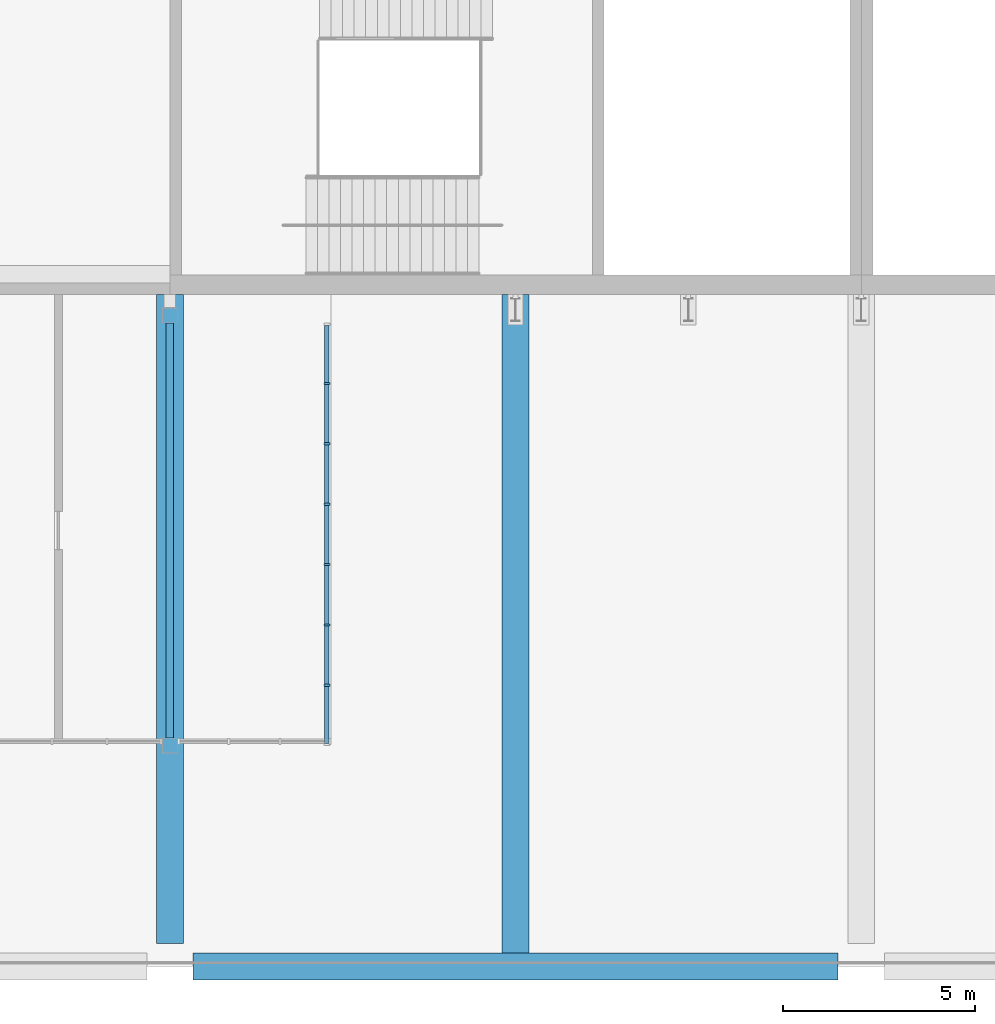
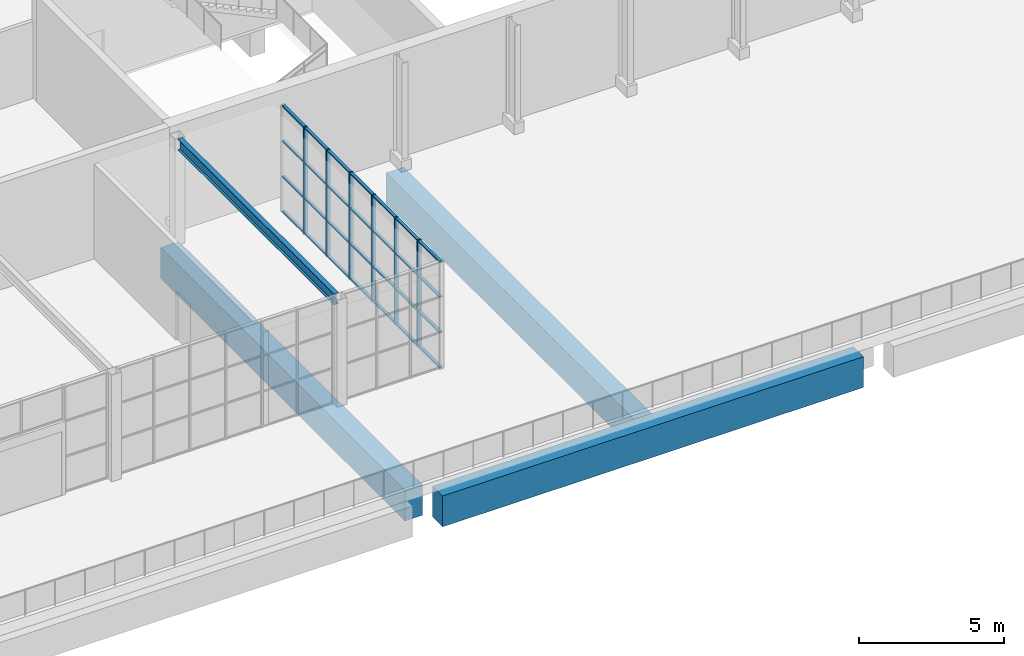
# One storey, part 44 of 168: 34 members, 4 beams, 1 element without a shape of its own.
"""IFC4 building model written with IfcOpenShell, lengths in metres."""

from ifc_helpers import new_model, si_unit, direction, frame, origin, origin_2d, place, context, subcontext, project, spatial, rectangle, i_section, extrude, material, material_profile, profile_set, type_object, element, aggregate, save


model = new_model("IFC4")

# Units and contexts
model_context = context("Model", 3, precision=1e-05, world=origin(), true_north=direction((0.0, 1.0)))
body_context = subcontext(model_context, "Body", "Model", "MODEL_VIEW")
ifc_project = project(units=[si_unit("LENGTHUNIT", "METRE"), si_unit("AREAUNIT", "SQUARE_METRE"), si_unit("VOLUMEUNIT", "CUBIC_METRE"), si_unit("PLANEANGLEUNIT", "RADIAN"), si_unit("MASSUNIT", "GRAM", prefix="KILO")], contexts=[model_context])

# Site, building, storey
site_placement = place(None, origin())
site = spatial("IfcSite", under=ifc_project, at=site_placement, CompositionType="ELEMENT")
building_placement = place(site_placement, origin())
building = spatial("IfcBuilding", under=site, at=building_placement, Name="Silverbay Arena", CompositionType="ELEMENT")
storey_placement = place(building_placement, frame((0.0, 0.0, 7.0)))
storey = spatial("IfcBuildingStorey", under=building, at=storey_placement, Name="L01", CompositionType="ELEMENT", Elevation=7.0)

# Beam
ifc_material_1 = material(Name="Steel S355", Category="steel")
ifc_material_profile_1 = material_profile(ifc_material_1, i_section(OverallWidth=0.19287109375, OverallDepth=0.46728515625, WebThickness=0.011474609375, FlangeThickness=0.01953125, at=origin_2d()), Name="UB 457x191x98")
ifc_profile_set_1 = profile_set([ifc_material_profile_1], Name="Steel S355")
beam_type_1 = type_object("IfcBeamType", Name="Hall beam UB 457x191x98", PredefinedType="BEAM", material=ifc_profile_set_1)
beam_1_placement = place(storey_placement, frame((144.0, 16.75, 4.266357421875), z_axis=(0.0, -1.0, 0.0), x_axis=(1.0, 0.0, 0.0)))
element("IfcBeam", 1, at=beam_1_placement, inside=storey, type_object=beam_type_1, Name="South entrance hall S1 transverse beam 4L11", PredefinedType="BEAM", context=body_context, shape_type="SweptSolid", body=[
    extrude(i_section(OverallWidth=0.19287109375, OverallDepth=0.46728515625, WebThickness=0.011474609375, FlangeThickness=0.01953125, at=origin_2d()), origin(), (0.0, 0.0, 1.0), 10.800048828125),
])

# Curtain wall, members
ifc_material_2 = material(Name="Aluminium framed curtain wall", Category="aluminium")
curtain_wall_type = type_object("IfcCurtainWallType", Name="Curtain wall 11000 x 4500", PredefinedType="NOTDEFINED", material=ifc_material_2)
curtain_wall_placement = place(storey_placement, origin())
curtain_wall = element("IfcCurtainWall", 2, at=curtain_wall_placement, inside=storey, type_object=curtain_wall_type, Name="South entrance hall S1 glazing SB", PredefinedType="NOTDEFINED")
ifc_material_3 = material(Name="Aluminium", Category="aluminium")
ifc_material_profile_2 = material_profile(ifc_material_3, rectangle(XDim=0.159912109375, YDim=0.06005859375, at=origin_2d()), Name="Mullion 60 x 160")
ifc_profile_set_2 = profile_set([ifc_material_profile_2], Name="Aluminium")
member_type_1 = type_object("IfcMemberType", Name="Mullion 60 x 160", PredefinedType="MULLION", material=ifc_profile_set_2)
member_1_placement = place(storey_placement, frame((148.090087890625, 7.321533203125, 0.0), z_axis=(0.0, 0.0, 1.0), x_axis=(-1.0, 0.0, 0.0)))
member_1 = element("IfcMember", 3, at=member_1_placement, type_object=member_type_1, Name="CW36 mullion 2", PredefinedType="MULLION", context=body_context, shape_type="SweptSolid", body=[
    extrude(rectangle(XDim=0.159912109375, YDim=0.06005859375, at=origin_2d()), origin(), (0.0, 0.0, 1.0), 4.5),
])
member_2_placement = place(storey_placement, frame((148.090087890625, 8.892822265625, 0.0), z_axis=(0.0, 0.0, 1.0), x_axis=(-1.0, 0.0, 0.0)))
member_2 = element("IfcMember", 4, at=member_2_placement, type_object=member_type_1, Name="CW36 mullion 3", PredefinedType="MULLION", context=body_context, shape_type="SweptSolid", body=[
    extrude(rectangle(XDim=0.159912109375, YDim=0.06005859375, at=origin_2d()), origin(), (0.0, 0.0, 1.0), 4.5),
])
member_3_placement = place(storey_placement, frame((148.090087890625, 10.46435546875, 0.0), z_axis=(0.0, 0.0, 1.0), x_axis=(-1.0, 0.0, 0.0)))
member_3 = element("IfcMember", 5, at=member_3_placement, type_object=member_type_1, Name="CW36 mullion 4", PredefinedType="MULLION", context=body_context, shape_type="SweptSolid", body=[
    extrude(rectangle(XDim=0.159912109375, YDim=0.06005859375, at=origin_2d()), origin(), (0.0, 0.0, 1.0), 4.5),
])
member_4_placement = place(storey_placement, frame((148.090087890625, 12.03564453125, 0.0), z_axis=(0.0, 0.0, 1.0), x_axis=(-1.0, 0.0, 0.0)))
member_4 = element("IfcMember", 6, at=member_4_placement, type_object=member_type_1, Name="CW36 mullion 5", PredefinedType="MULLION", context=body_context, shape_type="SweptSolid", body=[
    extrude(rectangle(XDim=0.159912109375, YDim=0.06005859375, at=origin_2d()), origin(), (0.0, 0.0, 1.0), 4.5),
])
member_5_placement = place(storey_placement, frame((148.090087890625, 13.607177734375, 0.0), z_axis=(0.0, 0.0, 1.0), x_axis=(-1.0, 0.0, 0.0)))
member_5 = element("IfcMember", 7, at=member_5_placement, type_object=member_type_1, Name="CW36 mullion 6", PredefinedType="MULLION", context=body_context, shape_type="SweptSolid", body=[
    extrude(rectangle(XDim=0.159912109375, YDim=0.06005859375, at=origin_2d()), origin(), (0.0, 0.0, 1.0), 4.5),
])
member_6_placement = place(storey_placement, frame((148.090087890625, 15.178466796875, 0.0), z_axis=(0.0, 0.0, 1.0), x_axis=(-1.0, 0.0, 0.0)))
member_6 = element("IfcMember", 8, at=member_6_placement, type_object=member_type_1, Name="CW36 mullion 7", PredefinedType="MULLION", context=body_context, shape_type="SweptSolid", body=[
    extrude(rectangle(XDim=0.159912109375, YDim=0.06005859375, at=origin_2d()), origin(), (0.0, 0.0, 1.0), 4.5),
])

# Beams
ifc_material_4 = material(Name="Concrete Grade C45", Category="concrete")
ifc_material_profile_3 = material_profile(ifc_material_4, rectangle(XDim=0.699951171875, YDim=1.300048828125, at=origin_2d()), Name="RC 700x1300")
ifc_profile_set_3 = profile_set([ifc_material_profile_3], Name="Concrete Grade C45")
beam_type_2 = type_object("IfcBeamType", Name="RC girder 700x1300", PredefinedType="BEAM", material=ifc_profile_set_3)
beam_2_placement = place(storey_placement, frame((144.0, 0.60009765625, -1.10009765625), z_axis=(0.0, 1.0, 0.0), x_axis=(-1.0, 0.0, 0.0)))
element("IfcBeam", 9, at=beam_2_placement, inside=storey, type_object=beam_type_2, Name="Deck secondary beam 123", PredefinedType="BEAM", context=body_context, shape_type="SweptSolid", body=[
    extrude(rectangle(XDim=0.699951171875, YDim=1.300048828125, at=origin_2d()), origin(), (0.0, 0.0, 1.0), 16.89990234375),
])
beam_3_placement = place(storey_placement, frame((153.0, 0.35009765625, -1.10009765625), z_axis=(0.0, 1.0, 0.0), x_axis=(-1.0, 0.0, 0.0)))
element("IfcBeam", 10, at=beam_3_placement, inside=storey, type_object=beam_type_2, Name="Deck secondary beam 125", PredefinedType="BEAM", context=body_context, shape_type="SweptSolid", body=[
    extrude(rectangle(XDim=0.699951171875, YDim=1.300048828125, at=origin_2d()), origin(), (0.0, 0.0, 1.0), 17.14990234375),
])
beam_4_placement = place(storey_placement, frame((144.60009765625, 0.0, -1.10009765625), z_axis=(1.0, 0.0, 0.0), x_axis=(0.0, 1.0, 0.0)))
element("IfcBeam", 11, at=beam_4_placement, inside=storey, type_object=beam_type_2, Name="Deck girder 139", PredefinedType="BEAM", context=body_context, shape_type="SweptSolid", body=[
    extrude(rectangle(XDim=0.699951171875, YDim=1.300048828125, at=origin_2d()), origin(), (0.0, 0.0, 1.0), 16.7998046875),
])

# Member
ifc_material_5 = material(Name="Aluminium", Category="aluminium")
ifc_material_profile_4 = material_profile(ifc_material_5, rectangle(XDim=0.1201171875, YDim=0.050048828125, at=origin_2d()), Name="Transom 50 x 120")
ifc_profile_set_4 = profile_set([ifc_material_profile_4], Name="Aluminium")
member_type_2 = type_object("IfcMemberType", Name="Transom 50 x 120", PredefinedType="USERDEFINED", material=ifc_profile_set_4)
member_7_placement = place(storey_placement, frame((148.090087890625, 5.81005859375, 0.02490234375), z_axis=(0.0, 1.0, 0.0), x_axis=(-1.0, 0.0, 0.0)))
member_7 = element("IfcMember", 12, at=member_7_placement, type_object=member_type_2, Name="CW36 transom 1.1", ObjectType="TRANSOM", PredefinedType="USERDEFINED", context=body_context, shape_type="SweptSolid", body=[
    extrude(rectangle(XDim=0.1201171875, YDim=0.050048828125, at=origin_2d()), origin(), (0.0, 0.0, 1.0), 1.4814453125),
])

member_8_placement = place(storey_placement, frame((148.090087890625, 5.81005859375, 1.5), z_axis=(0.0, 1.0, 0.0), x_axis=(-1.0, 0.0, 0.0)))
member_8 = element("IfcMember", 13, at=member_8_placement, type_object=member_type_2, Name="CW36 transom 1.2", ObjectType="TRANSOM", PredefinedType="USERDEFINED", context=body_context, shape_type="SweptSolid", body=[
    extrude(rectangle(XDim=0.1201171875, YDim=0.050048828125, at=origin_2d()), origin(), (0.0, 0.0, 1.0), 1.4814453125),
])

member_9_placement = place(storey_placement, frame((148.090087890625, 5.81005859375, 3.0), z_axis=(0.0, 1.0, 0.0), x_axis=(-1.0, 0.0, 0.0)))
member_9 = element("IfcMember", 14, at=member_9_placement, type_object=member_type_2, Name="CW36 transom 1.3", ObjectType="TRANSOM", PredefinedType="USERDEFINED", context=body_context, shape_type="SweptSolid", body=[
    extrude(rectangle(XDim=0.1201171875, YDim=0.050048828125, at=origin_2d()), origin(), (0.0, 0.0, 1.0), 1.4814453125),
])

member_10_placement = place(storey_placement, frame((148.090087890625, 5.81005859375, 4.47509765625), z_axis=(0.0, 1.0, 0.0), x_axis=(-1.0, 0.0, 0.0)))
member_10 = element("IfcMember", 15, at=member_10_placement, type_object=member_type_2, Name="CW36 transom 1.4", ObjectType="TRANSOM", PredefinedType="USERDEFINED", context=body_context, shape_type="SweptSolid", body=[
    extrude(rectangle(XDim=0.1201171875, YDim=0.050048828125, at=origin_2d()), origin(), (0.0, 0.0, 1.0), 1.4814453125),
])

member_11_placement = place(storey_placement, frame((148.090087890625, 7.351318359375, 0.02490234375), z_axis=(0.0, 1.0, 0.0), x_axis=(-1.0, 0.0, 0.0)))
member_11 = element("IfcMember", 16, at=member_11_placement, type_object=member_type_2, Name="CW36 transom 2.1", ObjectType="TRANSOM", PredefinedType="USERDEFINED", context=body_context, shape_type="SweptSolid", body=[
    extrude(rectangle(XDim=0.1201171875, YDim=0.050048828125, at=origin_2d()), origin(), (0.0, 0.0, 1.0), 1.511474609375),
])

member_12_placement = place(storey_placement, frame((148.090087890625, 7.351318359375, 1.5), z_axis=(0.0, 1.0, 0.0), x_axis=(-1.0, 0.0, 0.0)))
member_12 = element("IfcMember", 17, at=member_12_placement, type_object=member_type_2, Name="CW36 transom 2.2", ObjectType="TRANSOM", PredefinedType="USERDEFINED", context=body_context, shape_type="SweptSolid", body=[
    extrude(rectangle(XDim=0.1201171875, YDim=0.050048828125, at=origin_2d()), origin(), (0.0, 0.0, 1.0), 1.511474609375),
])

member_13_placement = place(storey_placement, frame((148.090087890625, 7.351318359375, 3.0), z_axis=(0.0, 1.0, 0.0), x_axis=(-1.0, 0.0, 0.0)))
member_13 = element("IfcMember", 18, at=member_13_placement, type_object=member_type_2, Name="CW36 transom 2.3", ObjectType="TRANSOM", PredefinedType="USERDEFINED", context=body_context, shape_type="SweptSolid", body=[
    extrude(rectangle(XDim=0.1201171875, YDim=0.050048828125, at=origin_2d()), origin(), (0.0, 0.0, 1.0), 1.511474609375),
])

member_14_placement = place(storey_placement, frame((148.090087890625, 7.351318359375, 4.47509765625), z_axis=(0.0, 1.0, 0.0), x_axis=(-1.0, 0.0, 0.0)))
member_14 = element("IfcMember", 19, at=member_14_placement, type_object=member_type_2, Name="CW36 transom 2.4", ObjectType="TRANSOM", PredefinedType="USERDEFINED", context=body_context, shape_type="SweptSolid", body=[
    extrude(rectangle(XDim=0.1201171875, YDim=0.050048828125, at=origin_2d()), origin(), (0.0, 0.0, 1.0), 1.511474609375),
])

member_15_placement = place(storey_placement, frame((148.090087890625, 8.9228515625, 0.02490234375), z_axis=(0.0, 1.0, 0.0), x_axis=(-1.0, 0.0, 0.0)))
member_15 = element("IfcMember", 20, at=member_15_placement, type_object=member_type_2, Name="CW36 transom 3.1", ObjectType="TRANSOM", PredefinedType="USERDEFINED", context=body_context, shape_type="SweptSolid", body=[
    extrude(rectangle(XDim=0.1201171875, YDim=0.050048828125, at=origin_2d()), origin(), (0.0, 0.0, 1.0), 1.511474609375),
])

member_16_placement = place(storey_placement, frame((148.090087890625, 8.9228515625, 1.5), z_axis=(0.0, 1.0, 0.0), x_axis=(-1.0, 0.0, 0.0)))
member_16 = element("IfcMember", 21, at=member_16_placement, type_object=member_type_2, Name="CW36 transom 3.2", ObjectType="TRANSOM", PredefinedType="USERDEFINED", context=body_context, shape_type="SweptSolid", body=[
    extrude(rectangle(XDim=0.1201171875, YDim=0.050048828125, at=origin_2d()), origin(), (0.0, 0.0, 1.0), 1.511474609375),
])

member_17_placement = place(storey_placement, frame((148.090087890625, 8.9228515625, 3.0), z_axis=(0.0, 1.0, 0.0), x_axis=(-1.0, 0.0, 0.0)))
member_17 = element("IfcMember", 22, at=member_17_placement, type_object=member_type_2, Name="CW36 transom 3.3", ObjectType="TRANSOM", PredefinedType="USERDEFINED", context=body_context, shape_type="SweptSolid", body=[
    extrude(rectangle(XDim=0.1201171875, YDim=0.050048828125, at=origin_2d()), origin(), (0.0, 0.0, 1.0), 1.511474609375),
])

member_18_placement = place(storey_placement, frame((148.090087890625, 8.9228515625, 4.47509765625), z_axis=(0.0, 1.0, 0.0), x_axis=(-1.0, 0.0, 0.0)))
member_18 = element("IfcMember", 23, at=member_18_placement, type_object=member_type_2, Name="CW36 transom 3.4", ObjectType="TRANSOM", PredefinedType="USERDEFINED", context=body_context, shape_type="SweptSolid", body=[
    extrude(rectangle(XDim=0.1201171875, YDim=0.050048828125, at=origin_2d()), origin(), (0.0, 0.0, 1.0), 1.511474609375),
])

member_19_placement = place(storey_placement, frame((148.090087890625, 10.494384765625, 0.02490234375), z_axis=(0.0, 1.0, 0.0), x_axis=(-1.0, 0.0, 0.0)))
member_19 = element("IfcMember", 24, at=member_19_placement, type_object=member_type_2, Name="CW36 transom 4.1", ObjectType="TRANSOM", PredefinedType="USERDEFINED", context=body_context, shape_type="SweptSolid", body=[
    extrude(rectangle(XDim=0.1201171875, YDim=0.050048828125, at=origin_2d()), origin(), (0.0, 0.0, 1.0), 1.51123046875),
])

member_20_placement = place(storey_placement, frame((148.090087890625, 10.494384765625, 1.5), z_axis=(0.0, 1.0, 0.0), x_axis=(-1.0, 0.0, 0.0)))
member_20 = element("IfcMember", 25, at=member_20_placement, type_object=member_type_2, Name="CW36 transom 4.2", ObjectType="TRANSOM", PredefinedType="USERDEFINED", context=body_context, shape_type="SweptSolid", body=[
    extrude(rectangle(XDim=0.1201171875, YDim=0.050048828125, at=origin_2d()), origin(), (0.0, 0.0, 1.0), 1.51123046875),
])

member_21_placement = place(storey_placement, frame((148.090087890625, 10.494384765625, 3.0), z_axis=(0.0, 1.0, 0.0), x_axis=(-1.0, 0.0, 0.0)))
member_21 = element("IfcMember", 26, at=member_21_placement, type_object=member_type_2, Name="CW36 transom 4.3", ObjectType="TRANSOM", PredefinedType="USERDEFINED", context=body_context, shape_type="SweptSolid", body=[
    extrude(rectangle(XDim=0.1201171875, YDim=0.050048828125, at=origin_2d()), origin(), (0.0, 0.0, 1.0), 1.51123046875),
])

member_22_placement = place(storey_placement, frame((148.090087890625, 10.494384765625, 4.47509765625), z_axis=(0.0, 1.0, 0.0), x_axis=(-1.0, 0.0, 0.0)))
member_22 = element("IfcMember", 27, at=member_22_placement, type_object=member_type_2, Name="CW36 transom 4.4", ObjectType="TRANSOM", PredefinedType="USERDEFINED", context=body_context, shape_type="SweptSolid", body=[
    extrude(rectangle(XDim=0.1201171875, YDim=0.050048828125, at=origin_2d()), origin(), (0.0, 0.0, 1.0), 1.51123046875),
])

member_23_placement = place(storey_placement, frame((148.090087890625, 12.065673828125, 0.02490234375), z_axis=(0.0, 1.0, 0.0), x_axis=(-1.0, 0.0, 0.0)))
member_23 = element("IfcMember", 28, at=member_23_placement, type_object=member_type_2, Name="CW36 transom 5.1", ObjectType="TRANSOM", PredefinedType="USERDEFINED", context=body_context, shape_type="SweptSolid", body=[
    extrude(rectangle(XDim=0.1201171875, YDim=0.050048828125, at=origin_2d()), origin(), (0.0, 0.0, 1.0), 1.511474609375),
])

member_24_placement = place(storey_placement, frame((148.090087890625, 12.065673828125, 1.5), z_axis=(0.0, 1.0, 0.0), x_axis=(-1.0, 0.0, 0.0)))
member_24 = element("IfcMember", 29, at=member_24_placement, type_object=member_type_2, Name="CW36 transom 5.2", ObjectType="TRANSOM", PredefinedType="USERDEFINED", context=body_context, shape_type="SweptSolid", body=[
    extrude(rectangle(XDim=0.1201171875, YDim=0.050048828125, at=origin_2d()), origin(), (0.0, 0.0, 1.0), 1.511474609375),
])

member_25_placement = place(storey_placement, frame((148.090087890625, 12.065673828125, 3.0), z_axis=(0.0, 1.0, 0.0), x_axis=(-1.0, 0.0, 0.0)))
member_25 = element("IfcMember", 30, at=member_25_placement, type_object=member_type_2, Name="CW36 transom 5.3", ObjectType="TRANSOM", PredefinedType="USERDEFINED", context=body_context, shape_type="SweptSolid", body=[
    extrude(rectangle(XDim=0.1201171875, YDim=0.050048828125, at=origin_2d()), origin(), (0.0, 0.0, 1.0), 1.511474609375),
])

member_26_placement = place(storey_placement, frame((148.090087890625, 12.065673828125, 4.47509765625), z_axis=(0.0, 1.0, 0.0), x_axis=(-1.0, 0.0, 0.0)))
member_26 = element("IfcMember", 31, at=member_26_placement, type_object=member_type_2, Name="CW36 transom 5.4", ObjectType="TRANSOM", PredefinedType="USERDEFINED", context=body_context, shape_type="SweptSolid", body=[
    extrude(rectangle(XDim=0.1201171875, YDim=0.050048828125, at=origin_2d()), origin(), (0.0, 0.0, 1.0), 1.511474609375),
])

member_27_placement = place(storey_placement, frame((148.090087890625, 13.63720703125, 0.02490234375), z_axis=(0.0, 1.0, 0.0), x_axis=(-1.0, 0.0, 0.0)))
member_27 = element("IfcMember", 32, at=member_27_placement, type_object=member_type_2, Name="CW36 transom 6.1", ObjectType="TRANSOM", PredefinedType="USERDEFINED", context=body_context, shape_type="SweptSolid", body=[
    extrude(rectangle(XDim=0.1201171875, YDim=0.050048828125, at=origin_2d()), origin(), (0.0, 0.0, 1.0), 1.511474609375),
])

member_28_placement = place(storey_placement, frame((148.090087890625, 13.63720703125, 1.5), z_axis=(0.0, 1.0, 0.0), x_axis=(-1.0, 0.0, 0.0)))
member_28 = element("IfcMember", 33, at=member_28_placement, type_object=member_type_2, Name="CW36 transom 6.2", ObjectType="TRANSOM", PredefinedType="USERDEFINED", context=body_context, shape_type="SweptSolid", body=[
    extrude(rectangle(XDim=0.1201171875, YDim=0.050048828125, at=origin_2d()), origin(), (0.0, 0.0, 1.0), 1.511474609375),
])

member_29_placement = place(storey_placement, frame((148.090087890625, 13.63720703125, 3.0), z_axis=(0.0, 1.0, 0.0), x_axis=(-1.0, 0.0, 0.0)))
member_29 = element("IfcMember", 34, at=member_29_placement, type_object=member_type_2, Name="CW36 transom 6.3", ObjectType="TRANSOM", PredefinedType="USERDEFINED", context=body_context, shape_type="SweptSolid", body=[
    extrude(rectangle(XDim=0.1201171875, YDim=0.050048828125, at=origin_2d()), origin(), (0.0, 0.0, 1.0), 1.511474609375),
])

member_30_placement = place(storey_placement, frame((148.090087890625, 13.63720703125, 4.47509765625), z_axis=(0.0, 1.0, 0.0), x_axis=(-1.0, 0.0, 0.0)))
member_30 = element("IfcMember", 35, at=member_30_placement, type_object=member_type_2, Name="CW36 transom 6.4", ObjectType="TRANSOM", PredefinedType="USERDEFINED", context=body_context, shape_type="SweptSolid", body=[
    extrude(rectangle(XDim=0.1201171875, YDim=0.050048828125, at=origin_2d()), origin(), (0.0, 0.0, 1.0), 1.511474609375),
])

member_31_placement = place(storey_placement, frame((148.090087890625, 15.20849609375, 0.02490234375), z_axis=(0.0, 1.0, 0.0), x_axis=(-1.0, 0.0, 0.0)))
member_31 = element("IfcMember", 36, at=member_31_placement, type_object=member_type_2, Name="CW36 transom 7.1", ObjectType="TRANSOM", PredefinedType="USERDEFINED", context=body_context, shape_type="SweptSolid", body=[
    extrude(rectangle(XDim=0.1201171875, YDim=0.050048828125, at=origin_2d()), origin(), (0.0, 0.0, 1.0), 1.4814453125),
])

member_32_placement = place(storey_placement, frame((148.090087890625, 15.20849609375, 1.5), z_axis=(0.0, 1.0, 0.0), x_axis=(-1.0, 0.0, 0.0)))
member_32 = element("IfcMember", 37, at=member_32_placement, type_object=member_type_2, Name="CW36 transom 7.2", ObjectType="TRANSOM", PredefinedType="USERDEFINED", context=body_context, shape_type="SweptSolid", body=[
    extrude(rectangle(XDim=0.1201171875, YDim=0.050048828125, at=origin_2d()), origin(), (0.0, 0.0, 1.0), 1.4814453125),
])

member_33_placement = place(storey_placement, frame((148.090087890625, 15.20849609375, 3.0), z_axis=(0.0, 1.0, 0.0), x_axis=(-1.0, 0.0, 0.0)))
member_33 = element("IfcMember", 38, at=member_33_placement, type_object=member_type_2, Name="CW36 transom 7.3", ObjectType="TRANSOM", PredefinedType="USERDEFINED", context=body_context, shape_type="SweptSolid", body=[
    extrude(rectangle(XDim=0.1201171875, YDim=0.050048828125, at=origin_2d()), origin(), (0.0, 0.0, 1.0), 1.4814453125),
])

member_34_placement = place(storey_placement, frame((148.090087890625, 15.20849609375, 4.47509765625), z_axis=(0.0, 1.0, 0.0), x_axis=(-1.0, 0.0, 0.0)))
member_34 = element("IfcMember", 39, at=member_34_placement, type_object=member_type_2, Name="CW36 transom 7.4", ObjectType="TRANSOM", PredefinedType="USERDEFINED", context=body_context, shape_type="SweptSolid", body=[
    extrude(rectangle(XDim=0.1201171875, YDim=0.050048828125, at=origin_2d()), origin(), (0.0, 0.0, 1.0), 1.4814453125),
])

aggregate(curtain_wall, [member_1, member_2, member_3, member_4, member_5, member_6, member_7, member_8, member_9, member_10, member_11, member_12, member_13, member_14, member_15, member_16, member_17, member_18, member_19, member_20, member_21, member_22, member_23, member_24, member_25, member_26, member_27, member_28, member_29, member_30, member_31, member_32, member_33, member_34])

save(model, "model.ifc")
